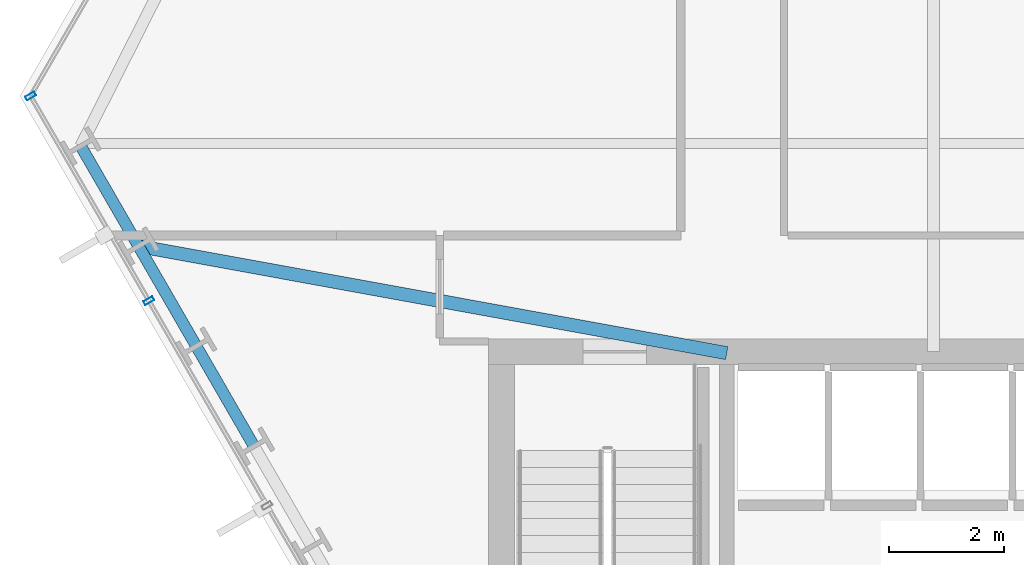
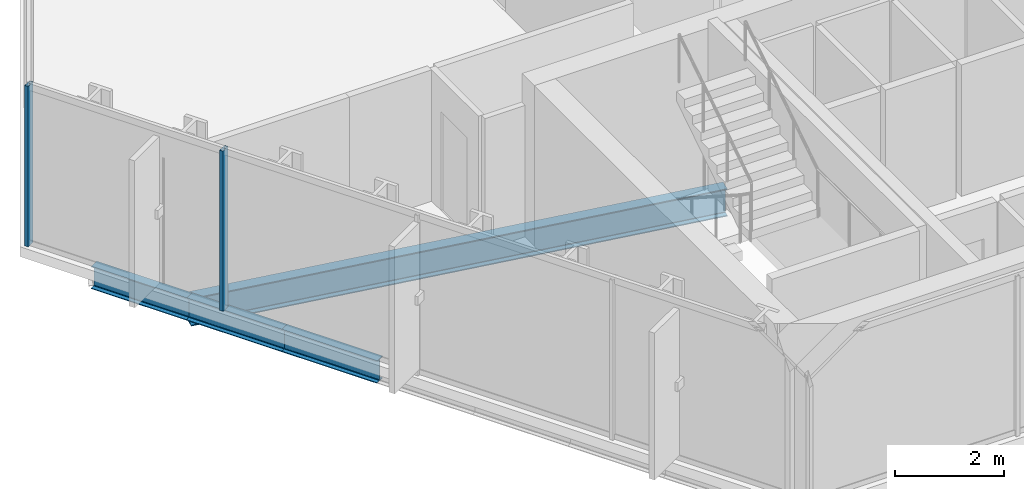
# One storey, part 4 of 33: 4 beams, 2 members, 1 element without a shape of its own.
"""IFC4 building model written with IfcOpenShell, lengths in metres."""

from ifc_helpers import new_model, si_unit, direction, frame, origin, origin_2d, place, context, subcontext, project, spatial, hollow_rectangle, i_section, extrude, material, layer, layer_set, material_profile, profile_set, type_object, element, aggregate, save


model = new_model("IFC4")

# Units and contexts
model_context = context("Model", 3, precision=1e-05, world=origin(), true_north=direction((0.0, 1.0)))
body_context = subcontext(model_context, "Body", "Model", "MODEL_VIEW")
ifc_project = project(units=[si_unit("LENGTHUNIT", "METRE"), si_unit("AREAUNIT", "SQUARE_METRE"), si_unit("VOLUMEUNIT", "CUBIC_METRE"), si_unit("PLANEANGLEUNIT", "RADIAN"), si_unit("MASSUNIT", "GRAM", prefix="KILO")], contexts=[model_context])

# Site, building, storey
site_placement = place(None, origin())
site = spatial("IfcSite", under=ifc_project, at=site_placement, CompositionType="ELEMENT")
building_placement = place(site_placement, origin())
building = spatial("IfcBuilding", under=site, at=building_placement, Name="Ndaravel Arena Tower", CompositionType="ELEMENT")
storey_placement = place(building_placement, frame((0.0, 0.0, 39.800048828125)))
storey = spatial("IfcBuildingStorey", under=building, at=storey_placement, Name="L07", CompositionType="ELEMENT", Elevation=39.800048828125)

# Beams
ifc_material_1 = material(Name="Steel S355", Category="steel")
ifc_material_profile_1 = material_profile(ifc_material_1, i_section(OverallWidth=0.230224609375, OverallDepth=0.6171875, WebThickness=0.01318359375, FlangeThickness=0.022216796875, FilletRadius=0.0126953125, at=origin_2d()), Name="UB 610x229x140")
ifc_profile_set_1 = profile_set([ifc_material_profile_1], Name="Steel S355")
beam_type_1 = type_object("IfcBeamType", Name="BM-GIRD-UB610B", PredefinedType="BEAM", material=ifc_profile_set_1)
beam_1_placement = place(storey_placement, frame((20.3525390625, 16.814453125, -0.528564453125), z_axis=(0.983847775726, -0.179007134493, 0.0), x_axis=(0.179007134493, 0.983847775726, 0.0)))
element("IfcBeam", 1, at=beam_1_placement, inside=storey, type_object=beam_type_1, Name="L07 Radial Floor Girder FG-21", PredefinedType="BEAM", context=body_context, shape_type="SweptSolid", body=[
    extrude(i_section(OverallWidth=0.230224609375, OverallDepth=0.6171875, WebThickness=0.01318359375, FlangeThickness=0.022216796875, FilletRadius=0.0126953125, at=origin_2d()), origin(), (0.0, 0.0, 1.0), 10.415771484375),
])
ifc_material_2 = material(Name="Steel S355", Category="steel")
ifc_material_profile_2 = material_profile(ifc_material_2, i_section(OverallWidth=0.199951171875, OverallDepth=0.5, WebThickness=0.01025390625, FlangeThickness=0.01611328125, FilletRadius=0.02099609375, at=origin_2d()), Name="IPE 500")
ifc_profile_set_2 = profile_set([ifc_material_profile_2], Name="Steel S355")
beam_type_2 = type_object("IfcBeamType", Name="BM-SPAN-IPE500", PredefinedType="SPANDREL", material=ifc_profile_set_2)
beam_2_placement = place(storey_placement, frame((19.345947265625, 18.55810546875, -0.469970703125), z_axis=(0.499960381356, -0.866048276411, 0.0), x_axis=(0.866048276411, 0.499960381356, 0.0)))
element("IfcBeam", 2, at=beam_2_placement, inside=storey, type_object=beam_type_2, Name="L07 Perimeter Spandrel Beam SP-20", PredefinedType="SPANDREL", context=body_context, shape_type="SweptSolid", body=[
    extrude(i_section(OverallWidth=0.199951171875, OverallDepth=0.5, WebThickness=0.01025390625, FlangeThickness=0.01611328125, FilletRadius=0.02099609375, at=origin_2d()), origin(), (0.0, 0.0, 1.0), 2.013427734375),
])
beam_3_placement = place(storey_placement, frame((20.3525390625, 16.814453125, -0.469970703125), z_axis=(0.499998820369, -0.866026084844, 0.0), x_axis=(0.866026084844, 0.499998820369, 0.0)))
element("IfcBeam", 3, at=beam_3_placement, inside=storey, type_object=beam_type_2, Name="L07 Perimeter Spandrel Beam SP-21", PredefinedType="SPANDREL", context=body_context, shape_type="SweptSolid", body=[
    extrude(i_section(OverallWidth=0.199951171875, OverallDepth=0.5, WebThickness=0.01025390625, FlangeThickness=0.01611328125, FilletRadius=0.02099609375, at=origin_2d()), origin(), (0.0, 0.0, 1.0), 2.013671875),
])
beam_4_placement = place(storey_placement, frame((21.359375, 15.070556640625, -0.469970703125), z_axis=(0.500051323872, -0.865995769906, 0.0), x_axis=(0.865995769906, 0.500051323872, 0.0)))
element("IfcBeam", 4, at=beam_4_placement, inside=storey, type_object=beam_type_2, Name="L07 Perimeter Spandrel Beam SP-22", PredefinedType="SPANDREL", context=body_context, shape_type="SweptSolid", body=[
    extrude(i_section(OverallWidth=0.199951171875, OverallDepth=0.5, WebThickness=0.01025390625, FlangeThickness=0.01611328125, FilletRadius=0.02099609375, at=origin_2d()), origin(), (0.0, 0.0, 1.0), 2.013427734375),
])

# Curtain wall, members
ifc_material_3 = material(Name="Aluminium", Category="aluminium")
ifc_layer = layer(ifc_material_3, 0.179931640625)
ifc_layer_set = layer_set([ifc_layer], Name="Aluminium")
curtain_wall_type = type_object("IfcCurtainWallType", Name="CW-SYS-02", PredefinedType="NOTDEFINED", material=ifc_layer_set)
curtain_wall_placement = place(storey_placement, origin())
curtain_wall = element("IfcCurtainWall", 5, at=curtain_wall_placement, inside=storey, type_object=curtain_wall_type, Name="L07 Faceted Crystal Curtain Wall CW-L07-E06", PredefinedType="NOTDEFINED")
ifc_material_4 = material(Name="Aluminium", Category="aluminium")
ifc_material_profile_3 = material_profile(ifc_material_4, hollow_rectangle(XDim=0.074951171875, YDim=0.179931640625, WallThickness=0.00390625, at=origin_2d()), Name="CW MULLION 75x180x4")
ifc_profile_set_3 = profile_set([ifc_material_profile_3], Name="Aluminium")
member_type = type_object("IfcMemberType", Name="MEM-CW-MUL180", PredefinedType="MULLION", material=ifc_profile_set_3)
member_1_placement = place(storey_placement, frame((18.472900390625, 19.429931640625, 0.0), z_axis=(0.0, 0.0, 1.0), x_axis=(0.5, -0.866025403784, 0.0)))
member_1 = element("IfcMember", 6, at=member_1_placement, type_object=member_type, Name="CW-L07-E06 Mullion 00", PredefinedType="MULLION", context=body_context, shape_type="SweptSolid", body=[
    extrude(hollow_rectangle(XDim=0.074951171875, YDim=0.179931640625, WallThickness=0.00390625, at=origin_2d()), origin(), (0.0, 0.0, 1.0), 3.579833984375),
])
member_2_placement = place(storey_placement, frame((20.53271484375, 15.862548828125, 0.0), z_axis=(0.0, 0.0, 1.0), x_axis=(0.5, -0.866025403784, 0.0)))
member_2 = element("IfcMember", 7, at=member_2_placement, type_object=member_type, Name="CW-L07-E06 Mullion 01", PredefinedType="MULLION", context=body_context, shape_type="SweptSolid", body=[
    extrude(hollow_rectangle(XDim=0.074951171875, YDim=0.179931640625, WallThickness=0.00390625, at=origin_2d()), origin(), (0.0, 0.0, 1.0), 3.579833984375),
])
aggregate(curtain_wall, [member_1, member_2])

save(model, "model.ifc")
